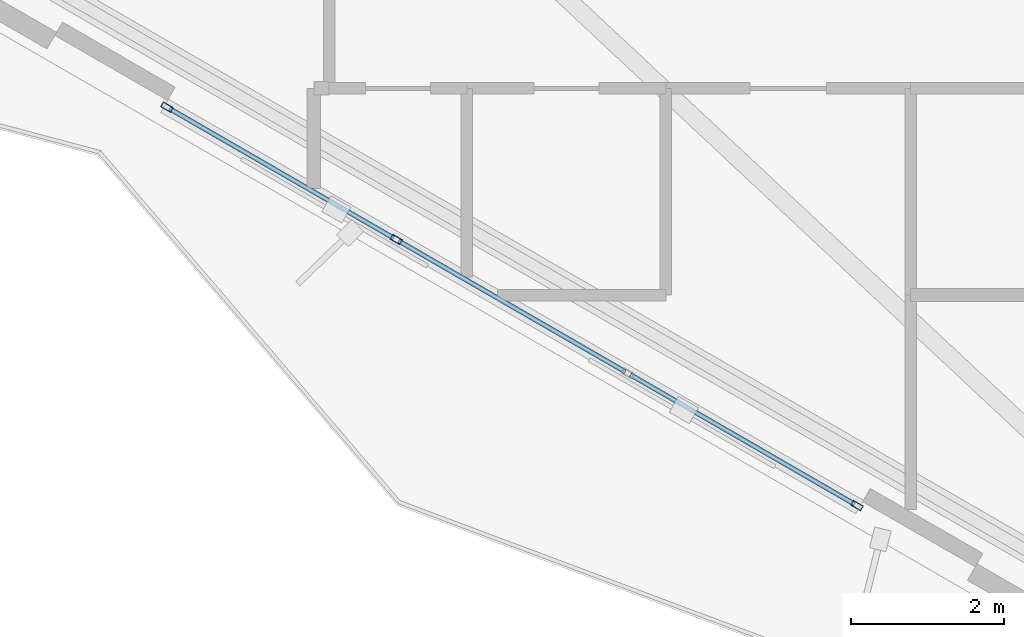
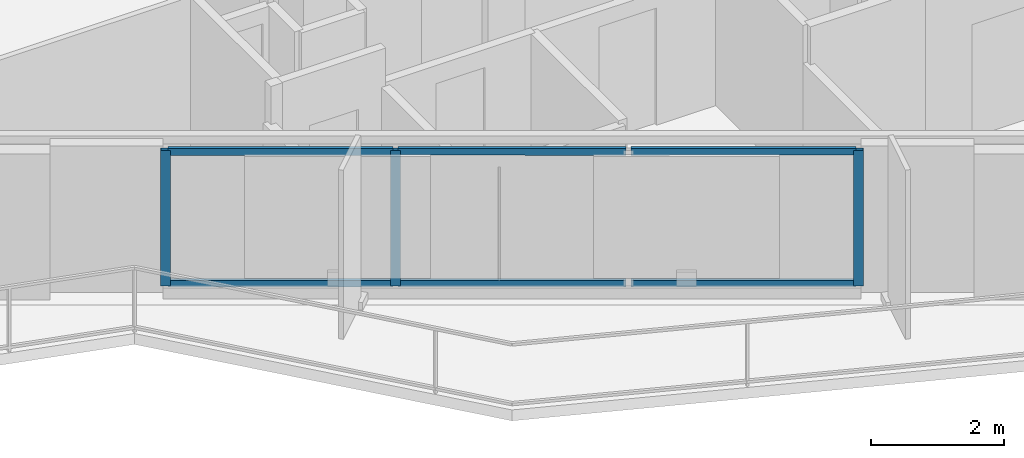
# One storey, part 2 of 18: 9 members, 1 element without a shape of its own.
"""IFC4 building model written with IfcOpenShell, lengths in metres."""

import ifcopenshell
import ifcopenshell.guid

model = None  # the IFC model being written
_history = None  # IfcOwnerHistory: only IFC2X3 demands one
_inside = {}  # id of a spatial element -> (the spatial element, [elements in it])
_under = {}  # id of a project, library or spatial element -> (it, [spatial elements below it])
_declared = {}  # id of a project -> (the project, [libraries it declares])
_typed = {}  # id of a type object -> (the type object, [elements of that type])
_made_of = {}  # id of a material, layer set ... -> (it, [elements and type objects made of it])


def new_model(schema):
    """Start an empty IFC model of exactly this schema.

    Asked for "IFC4X3", IfcOpenShell would pick the latest addendum, in which some entities
    have other attributes; the version numbers below select the first issue.
    IFC2X3 requires an IfcOwnerHistory on every rooted entity: one is made here for all.
    """
    global model, _history
    if schema == "IFC4X3":
        model = ifcopenshell.file(schema_version=(4, 3, 0, 0))
    else:
        model = ifcopenshell.file(schema=schema)
    _inside.clear()
    _under.clear()
    _declared.clear()
    _typed.clear()
    _made_of.clear()
    _history = None
    if model.schema == "IFC2X3":
        org = make("IfcOrganization", Name="unknown")
        user = make(
            "IfcPersonAndOrganization",
            ThePerson=make("IfcPerson", FamilyName="unknown"),
            TheOrganization=org,
        )
        app = make(
            "IfcApplication",
            ApplicationDeveloper=org,
            Version="unknown",
            ApplicationFullName="unknown",
            ApplicationIdentifier="unknown",
        )
        _history = make(
            "IfcOwnerHistory",
            OwningUser=user,
            OwningApplication=app,
            ChangeAction="ADDED",
            CreationDate=0,
        )
    return model


def make(cls, **values):
    """One entity of the class cls with the attributes given. An attribute that is None is left unset."""
    return model.create_entity(
        cls, **{name: value for name, value in values.items() if value is not None}
    )


def rooted(cls, **values):
    """An entity with a GlobalId (a new one), such as an element, a storey or a relation."""
    return make(cls, GlobalId=ifcopenshell.guid.new(), OwnerHistory=_history, **values)


def si_unit(unit_type, name, prefix=None):
    """IfcSIUnit, for example si_unit("LENGTHUNIT", "METRE", prefix="MILLI")."""
    return make("IfcSIUnit", UnitType=unit_type, Prefix=prefix, Name=name)


def assignment(units):
    """IfcUnitAssignment: the units of a project."""
    return None if units is None else make("IfcUnitAssignment", Units=units)


def point(xyz):
    """IfcCartesianPoint."""
    return None if xyz is None else make("IfcCartesianPoint", Coordinates=xyz)


def direction(xyz):
    """IfcDirection."""
    return None if xyz is None else make("IfcDirection", DirectionRatios=xyz)


def frame(location, z_axis=None, x_axis=None):
    """IfcAxis2Placement3D, a coordinate frame: its origin and axes. An axis left out is left unset."""
    return make(
        "IfcAxis2Placement3D",
        Location=point(location),
        Axis=direction(z_axis),
        RefDirection=direction(x_axis),
    )


def frame_2d(location, x_axis=None):
    """IfcAxis2Placement2D, a coordinate frame in the plane: its origin and x axis."""
    return make(
        "IfcAxis2Placement2D", Location=point(location), RefDirection=direction(x_axis)
    )


def origin():
    """The frame at (0, 0, 0) with its axes left unset."""
    return frame((0.0, 0.0, 0.0))


def origin_2d():
    """The frame at (0, 0) in the plane with its x axis left unset."""
    return frame_2d((0.0, 0.0))


def place(relative_to, where):
    """IfcLocalPlacement: puts the frame where relative to a parent placement (None: the world)."""
    return make(
        "IfcLocalPlacement", PlacementRelTo=relative_to, RelativePlacement=where
    )


def context(
    kind, dimensions, precision=None, world=None, true_north=None, identifier=None
):
    """IfcGeometricRepresentationContext, for example the 3D "Model" context."""
    return make(
        "IfcGeometricRepresentationContext",
        ContextIdentifier=identifier,
        ContextType=kind,
        CoordinateSpaceDimension=dimensions,
        Precision=precision,
        WorldCoordinateSystem=world,
        TrueNorth=true_north,
    )


def subcontext(parent, identifier, kind, view, scale=None):
    """IfcGeometricRepresentationSubContext, for example "Body" below "Model"."""
    return make(
        "IfcGeometricRepresentationSubContext",
        ContextIdentifier=identifier,
        ContextType=kind,
        ParentContext=parent,
        TargetScale=scale,
        TargetView=view,
    )


def project(units=None, contexts=None):
    """IfcProject with its units and contexts."""
    return rooted(
        "IfcProject",
        Name="project",
        RepresentationContexts=contexts,
        UnitsInContext=assignment(units),
    )


def spatial(cls, under=None, at=None, **own):
    """A site, building, storey or space (cls), placed at a placement, below another one or the project."""
    s = rooted(cls, ObjectPlacement=at, **own)
    if under is not None:
        _under.setdefault(under.id(), (under, []))[1].append(s)
    return s


def profile(cls, at=None, kind="AREA", **sizes):
    """A parametric profile (cls). Its sizes go by their IFC names, for example OverallWidth=200.0."""
    return make(cls, ProfileType=kind, Position=at, **sizes)


def hollow_rectangle(**sizes):
    """IfcRectangleHollowProfileDef."""
    return profile("IfcRectangleHollowProfileDef", **sizes)


def extrude(swept, where, along, depth):
    """IfcExtrudedAreaSolid: the profile swept, set in the frame where, extruded along a direction by depth."""
    return make(
        "IfcExtrudedAreaSolid",
        SweptArea=swept,
        Position=where,
        ExtrudedDirection=direction(along),
        Depth=depth,
    )


def shape(context_of_items, identifier, shape_type, items):
    """IfcShapeRepresentation: the items that make up one representation, for example the "Body"."""
    return make(
        "IfcShapeRepresentation",
        ContextOfItems=context_of_items,
        RepresentationIdentifier=identifier,
        RepresentationType=shape_type,
        Items=items,
    )


def material(Name=None, Category=None):
    """IfcMaterial."""
    return make("IfcMaterial", Name=Name, Category=Category)


def layer(
    of_material, thickness, ventilated=None, Name=None, Category=None, Priority=None
):
    """IfcMaterialLayer: one layer of a wall or slab, of a material (None: an air gap)."""
    return make(
        "IfcMaterialLayer",
        Material=of_material,
        LayerThickness=thickness,
        IsVentilated=ventilated,
        Name=Name,
        Category=Category,
        Priority=Priority,
    )


def layer_set(layers, Name=None):
    """IfcMaterialLayerSet."""
    return make("IfcMaterialLayerSet", MaterialLayers=layers, LayerSetName=Name)


def material_profile(
    of_material, cross_section, Name=None, Category=None, Priority=None
):
    """IfcMaterialProfile: a cross section and its material."""
    return make(
        "IfcMaterialProfile",
        Name=Name,
        Material=of_material,
        Profile=cross_section,
        Priority=Priority,
        Category=Category,
    )


def profile_set(profiles, Name=None, composite=None):
    """IfcMaterialProfileSet."""
    return make(
        "IfcMaterialProfileSet",
        Name=Name,
        MaterialProfiles=profiles,
        CompositeProfile=composite,
    )


def made_of(thing, what):
    """Note that an element or type object is made of a material, layer set ...; save() writes the relation."""
    if what is not None:
        _made_of.setdefault(what.id(), (what, []))[1].append(thing)
    return thing


def type_object(cls, material=None, **own):
    """A type object (cls), such as IfcWallType, which elements share."""
    return made_of(rooted(cls, **own), material)


def element(
    cls,
    number,
    at=None,
    inside=None,
    cuts=None,
    type_object=None,
    material=None,
    context=None,
    identifier="Body",
    shape_type=None,
    held_by="IfcProductDefinitionShape",
    body=None,
    shapes=None,
    **own,
):
    """One element of the class cls, such as IfcWall. Its Tag is "e" and its number.

    at: its placement. inside: the storey or other place that contains it. cuts: it is an
    opening in that element (IfcRelVoidsElement). A single representation is given by context,
    identifier, shape_type and body (its items); several are given by shapes. held_by: the class
    of the entity that holds the representations. save() writes the other relations.
    """
    e = rooted(cls, Tag="e%d" % number, ObjectPlacement=at, **own)
    if body is not None:
        shapes = [shape(context, identifier, shape_type, body)]
    if shapes is not None:
        e.Representation = make(held_by, Representations=shapes)
    if inside is not None:
        _inside.setdefault(inside.id(), (inside, []))[1].append(e)
    if cuts is not None:
        rooted(
            "IfcRelVoidsElement", RelatingBuildingElement=cuts, RelatedOpeningElement=e
        )
    if type_object is not None:
        _typed.setdefault(type_object.id(), (type_object, []))[1].append(e)
    return made_of(e, material)


def aggregate(whole, parts):
    """IfcRelAggregates: a whole, such as a stair, and the parts it consists of."""
    return rooted("IfcRelAggregates", RelatingObject=whole, RelatedObjects=parts)


def save(model, path):
    """Write the relations noted so far, then the file.

    IfcRelAggregates (storeys below a building ...), IfcRelContainedInSpatialStructure (elements
    in a storey), IfcRelDefinesByType, IfcRelAssociatesMaterial and IfcRelDeclares: one each for
    every whole, place, type object, material and project.
    """
    for whole, parts in _under.values():
        aggregate(whole, parts)
    for where, things in _inside.values():
        rooted(
            "IfcRelContainedInSpatialStructure",
            RelatedElements=things,
            RelatingStructure=where,
        )
    for kind, things in _typed.values():
        rooted("IfcRelDefinesByType", RelatedObjects=things, RelatingType=kind)
    for what, things in _made_of.values():
        rooted("IfcRelAssociatesMaterial", RelatedObjects=things, RelatingMaterial=what)
    for by, libraries in _declared.values():
        rooted("IfcRelDeclares", RelatingContext=by, RelatedDefinitions=libraries)
    model.write(path)


model = new_model("IFC4")

# Units and contexts
model_context = context("Model", 3, precision=1e-05, world=origin(), true_north=direction((0.0, 1.0)))
body_context = subcontext(model_context, "Body", "Model", "MODEL_VIEW")
ifc_project = project(units=[si_unit("LENGTHUNIT", "METRE"), si_unit("AREAUNIT", "SQUARE_METRE"), si_unit("VOLUMEUNIT", "CUBIC_METRE"), si_unit("PLANEANGLEUNIT", "RADIAN"), si_unit("MASSUNIT", "GRAM", prefix="KILO")], contexts=[model_context])

# Site, building, storey
site_placement = place(None, origin())
site = spatial("IfcSite", under=ifc_project, at=site_placement, CompositionType="ELEMENT")
building_placement = place(site_placement, origin())
building = spatial("IfcBuilding", under=site, at=building_placement, Name="Mersakhor Tower and Convention Hall", CompositionType="ELEMENT")
storey_placement = place(building_placement, frame((0.0, 0.0, 134.39990234375)))
storey = spatial("IfcBuildingStorey", under=building, at=storey_placement, Name="L37", CompositionType="ELEMENT", Elevation=134.39990234375)

# Curtain wall, members
ifc_material_1 = material(Name="Dark solar low-E aluminium curtain wall", Category="aluminium")
ifc_layer = layer(ifc_material_1, 0.169921875)
ifc_layer_set = layer_set([ifc_layer], Name="Dark solar low-E aluminium curtain wall")
curtain_wall_type = type_object("IfcCurtainWallType", Name="CW-SYS-02", PredefinedType="USERDEFINED", material=ifc_layer_set)
curtain_wall_placement = place(storey_placement, origin())
curtain_wall = element("IfcCurtainWall", 1, at=curtain_wall_placement, inside=storey, type_object=curtain_wall_type, Name="L37 Dark-Glass Curtain Wall F3-B2", ObjectType="CURTAIN WALL", PredefinedType="USERDEFINED")
ifc_material_2 = material(Name="Anodised aluminium EN AW-6063 T6", Category="aluminium")
ifc_material_profile_1 = material_profile(ifc_material_2, hollow_rectangle(XDim=0.074951171875, YDim=0.14990234375, WallThickness=0.00634765625, at=origin_2d()), Name="RHS 150x75x6.3")
ifc_profile_set_1 = profile_set([ifc_material_profile_1], Name="Anodised aluminium EN AW-6063 T6")
member_type_1 = type_object("IfcMemberType", Name="CWM-150x75", PredefinedType="MULLION", material=ifc_profile_set_1)
member_1_placement = place(storey_placement, frame((26.8984375, 12.69921875, 0.2001953125), z_axis=(0.0, 0.0, 1.0), x_axis=(-0.499990468363, -0.866030906807, 0.0)))
member_1 = element("IfcMember", 2, at=member_1_placement, type_object=member_type_1, Name="CW-02 mullion 1", PredefinedType="MULLION", context=body_context, shape_type="SweptSolid", body=[
    extrude(hollow_rectangle(XDim=0.074951171875, YDim=0.14990234375, WallThickness=0.00634765625, at=origin_2d()), origin(), (0.0, 0.0, 1.0), 2.47998046875),
])
member_2_placement = place(storey_placement, frame((20.876953125, 16.17578125, 0.2001953125), z_axis=(0.0, 0.0, 1.0), x_axis=(-0.499990468363, -0.866030906807, 0.0)))
member_2 = element("IfcMember", 3, at=member_2_placement, type_object=member_type_1, Name="CW-02 mullion 3", PredefinedType="MULLION", context=body_context, shape_type="SweptSolid", body=[
    extrude(hollow_rectangle(XDim=0.074951171875, YDim=0.14990234375, WallThickness=0.00634765625, at=origin_2d()), origin(), (0.0, 0.0, 1.0), 2.47998046875),
])
member_3_placement = place(storey_placement, frame((17.88232421875, 17.904541015625, 0.2001953125), z_axis=(0.0, 0.0, 1.0), x_axis=(-0.499990468363, -0.866030906807, 0.0)))
member_3 = element("IfcMember", 4, at=member_3_placement, type_object=member_type_1, Name="CW-02 mullion 4", PredefinedType="MULLION", context=body_context, shape_type="SweptSolid", body=[
    extrude(hollow_rectangle(XDim=0.074951171875, YDim=0.14990234375, WallThickness=0.00634765625, at=origin_2d()), origin(), (0.0, 0.0, 1.0), 2.47998046875),
])
ifc_material_3 = material(Name="Anodised aluminium EN AW-6063 T6", Category="aluminium")
ifc_material_profile_2 = material_profile(ifc_material_3, hollow_rectangle(XDim=0.06005859375, YDim=0.1201171875, WallThickness=0.0048828125, at=origin_2d()), Name="RHS 120x60x5")
ifc_profile_set_2 = profile_set([ifc_material_profile_2], Name="Anodised aluminium EN AW-6063 T6")
member_type_2 = type_object("IfcMemberType", Name="CWT-120x60", PredefinedType="USERDEFINED", material=ifc_profile_set_2)
member_4_placement = place(storey_placement, frame((26.865966796875, 12.718017578125, 0.22998046875), z_axis=(-0.866044963944, 0.49996611928, 0.0), x_axis=(-0.49996611928, -0.866044963944, 0.0)))
member_4 = element("IfcMember", 5, at=member_4_placement, type_object=member_type_2, Name="CW-02 transom 1.1", ObjectType="TRANSOM", PredefinedType="USERDEFINED", context=body_context, shape_type="SweptSolid", body=[
    extrude(hollow_rectangle(XDim=0.06005859375, YDim=0.1201171875, WallThickness=0.0048828125, at=origin_2d()), origin(), (0.0, 0.0, 1.0), 3.382568359375),
])
member_5_placement = place(storey_placement, frame((26.865966796875, 12.718017578125, 2.650146484375), z_axis=(-0.866044963944, 0.49996611928, 0.0), x_axis=(-0.49996611928, -0.866044963944, 0.0)))
member_5 = element("IfcMember", 6, at=member_5_placement, type_object=member_type_2, Name="CW-02 transom 1.2", ObjectType="TRANSOM", PredefinedType="USERDEFINED", context=body_context, shape_type="SweptSolid", body=[
    extrude(hollow_rectangle(XDim=0.06005859375, YDim=0.1201171875, WallThickness=0.0048828125, at=origin_2d()), origin(), (0.0, 0.0, 1.0), 3.382568359375),
])
member_6_placement = place(storey_placement, frame((23.871337890625, 14.44677734375, 0.22998046875), z_axis=(-0.866007273829, 0.50003140069, 0.0), x_axis=(-0.50003140069, -0.866007273829, 0.0)))
member_6 = element("IfcMember", 7, at=member_6_placement, type_object=member_type_2, Name="CW-02 transom 2.1", ObjectType="TRANSOM", PredefinedType="USERDEFINED", context=body_context, shape_type="SweptSolid", body=[
    extrude(hollow_rectangle(XDim=0.06005859375, YDim=0.1201171875, WallThickness=0.0048828125, at=origin_2d()), origin(), (0.0, 0.0, 1.0), 3.420166015625),
])
member_7_placement = place(storey_placement, frame((23.871337890625, 14.44677734375, 2.650146484375), z_axis=(-0.866007273829, 0.50003140069, 0.0), x_axis=(-0.50003140069, -0.866007273829, 0.0)))
member_7 = element("IfcMember", 8, at=member_7_placement, type_object=member_type_2, Name="CW-02 transom 2.2", ObjectType="TRANSOM", PredefinedType="USERDEFINED", context=body_context, shape_type="SweptSolid", body=[
    extrude(hollow_rectangle(XDim=0.06005859375, YDim=0.1201171875, WallThickness=0.0048828125, at=origin_2d()), origin(), (0.0, 0.0, 1.0), 3.420166015625),
])
member_8_placement = place(storey_placement, frame((20.844482421875, 16.1943359375, 0.22998046875), z_axis=(-0.866031754707, 0.499988999718, 0.0), x_axis=(-0.499988999718, -0.866031754707, 0.0)))
member_8 = element("IfcMember", 9, at=member_8_placement, type_object=member_type_2, Name="CW-02 transom 3.1", ObjectType="TRANSOM", PredefinedType="USERDEFINED", context=body_context, shape_type="SweptSolid", body=[
    extrude(hollow_rectangle(XDim=0.06005859375, YDim=0.1201171875, WallThickness=0.0048828125, at=origin_2d()), origin(), (0.0, 0.0, 1.0), 3.3828125),
])
member_9_placement = place(storey_placement, frame((20.844482421875, 16.1943359375, 2.650146484375), z_axis=(-0.866031754707, 0.499988999718, 0.0), x_axis=(-0.499988999718, -0.866031754707, 0.0)))
member_9 = element("IfcMember", 10, at=member_9_placement, type_object=member_type_2, Name="CW-02 transom 3.2", ObjectType="TRANSOM", PredefinedType="USERDEFINED", context=body_context, shape_type="SweptSolid", body=[
    extrude(hollow_rectangle(XDim=0.06005859375, YDim=0.1201171875, WallThickness=0.0048828125, at=origin_2d()), origin(), (0.0, 0.0, 1.0), 3.3828125),
])
aggregate(curtain_wall, [member_1, member_2, member_3, member_4, member_5, member_6, member_7, member_8, member_9])

save(model, "model.ifc")
